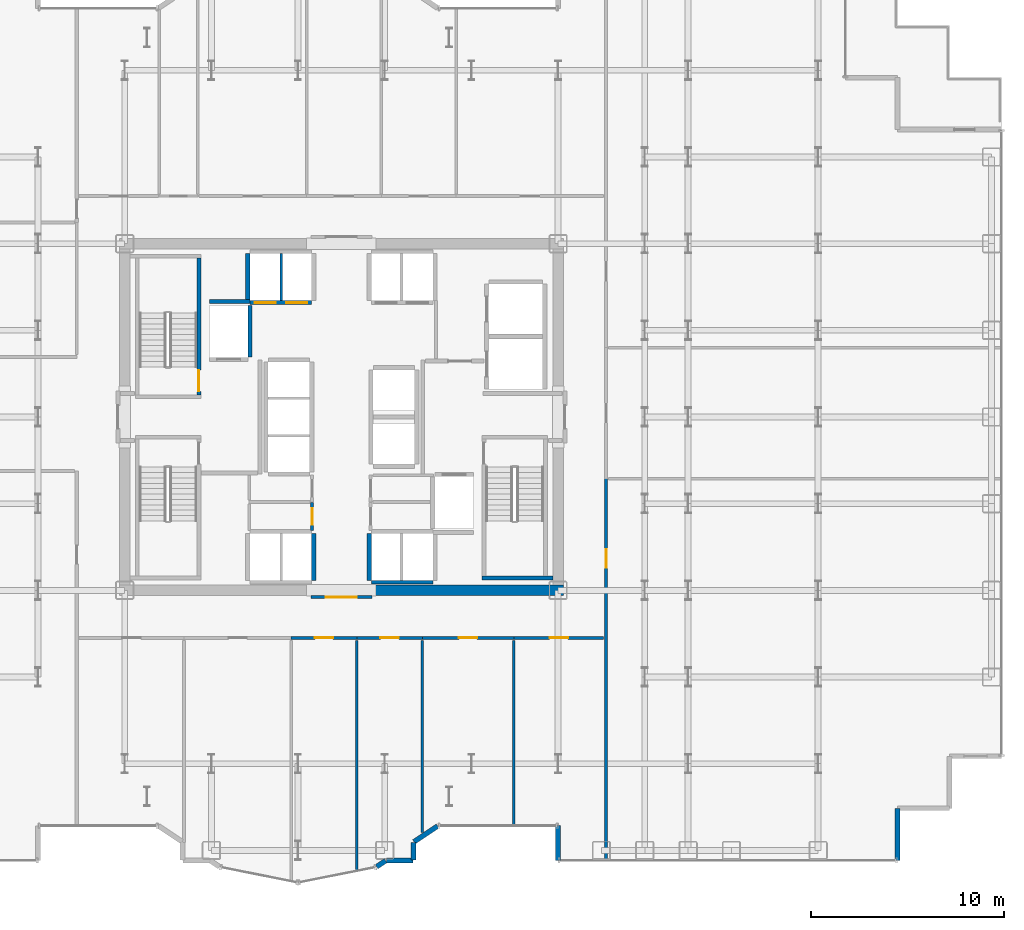
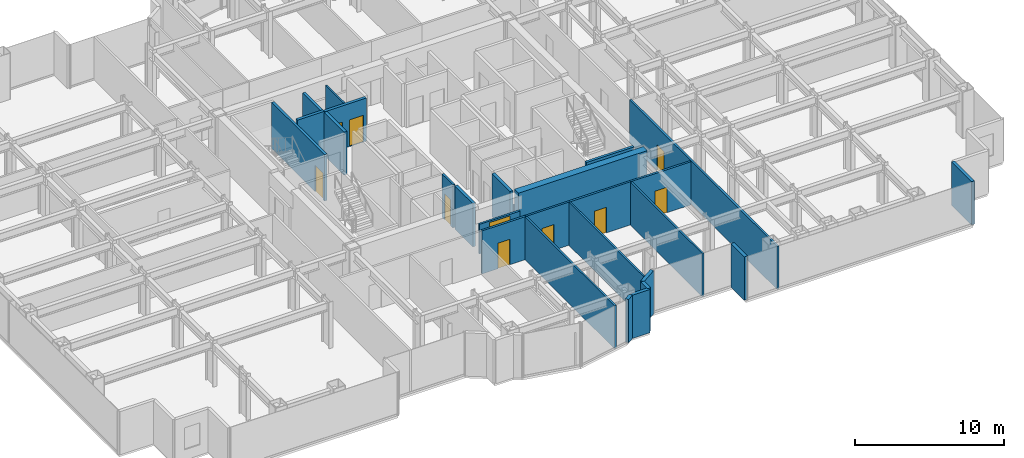
# One storey, part 21 of 26: 27 walls, 10 doors, 10 openings.
"""IFC4 building model written with IfcOpenShell, lengths in metres."""

from ifc_helpers import new_model, si_unit, direction, frame, frame_2d, origin, place, context, subcontext, project, spatial, rectangle, extrude, source, transform, mapped, material, layer, layer_set, type_object, element, fill, save


model = new_model("IFC4")

# Units and contexts
model_context = context("Model", 3, precision=1e-05, world=origin(), true_north=direction((0.0, 1.0)))
body_context = subcontext(model_context, "Body", "Model", "MODEL_VIEW")
ifc_project = project(units=[si_unit("LENGTHUNIT", "METRE"), si_unit("AREAUNIT", "SQUARE_METRE"), si_unit("VOLUMEUNIT", "CUBIC_METRE"), si_unit("PLANEANGLEUNIT", "RADIAN"), si_unit("MASSUNIT", "GRAM", prefix="KILO")], contexts=[model_context])

# Site, building, storey
site_placement = place(None, origin())
site = spatial("IfcSite", under=ifc_project, at=site_placement, CompositionType="ELEMENT")
building_placement = place(site_placement, origin())
building = spatial("IfcBuilding", under=site, at=building_placement, Name="Nefas-Gora Pilgrimage Tower", CompositionType="ELEMENT")
storey_placement = place(building_placement, frame((0.0, 0.0, 106.0)))
storey = spatial("IfcBuildingStorey", under=building, at=storey_placement, Name="L25", CompositionType="ELEMENT", Elevation=106.0)

# Walls
ifc_material_1 = material(Name="Concrete C60/75", Category="concrete")
ifc_layer_1 = layer(ifc_material_1, 0.550048828125)
ifc_layer_set_1 = layer_set([ifc_layer_1], Name="Concrete C60/75")
wall_type_1 = type_object("IfcWallType", Name="SW-CORE-550", PredefinedType="SHEAR", material=ifc_layer_set_1)
shared_shape_1 = source(origin(), body_context, "Body", "SweptSolid", [
    extrude(rectangle(XDim=9.974853515625, YDim=0.550048828125, at=frame_2d((4.9873046875, 0.0))), origin(), (0.0, 0.0, 1.0), 3.800048828125),
])
wall_1_placement = place(storey_placement, frame((1.550048828125, -9.0, 0.0), z_axis=(0.0, 0.0, 1.0), x_axis=(1.0, 0.0, 0.0)))
element("IfcWall", 1, at=wall_1_placement, inside=storey, type_object=wall_type_1, Name="L25 Core Shear Wall S-East", PredefinedType="SHEAR", context=body_context, shape_type="MappedRepresentation", body=[
    mapped(shared_shape_1, transform((0.0, 0.0, 0.0), x_axis=(1.0, 0.0, 0.0), y_axis=(0.0, 1.0, 0.0), z_axis=(0.0, 0.0, 1.0), scale=1.0)),
])
ifc_material_2 = material(Name="Precast concrete C40/50", Category="concrete")
ifc_layer_2 = layer(ifc_material_2, 0.260009765625)
ifc_layer_set_2 = layer_set([ifc_layer_2], Name="Precast concrete C40/50")
wall_type_2 = type_object("IfcWallType", Name="EW-PORTAL-260", PredefinedType="SOLIDWALL", material=ifc_layer_set_2)
shared_shape_2 = source(origin(), body_context, "Body", "SweptSolid", [
    extrude(rectangle(XDim=1.800048828125, YDim=0.260009765625, at=frame_2d((0.89990234375, 0.0))), origin(), (0.0, 0.0, 1.0), 3.550048828125),
])
wall_2_placement = place(storey_placement, frame((11.25, -21.219970703125, 0.0), z_axis=(0.0, 0.0, 1.0), x_axis=(0.0, -1.0, 0.0)))
element("IfcWall", 2, at=wall_2_placement, inside=storey, type_object=wall_type_2, Name="L25 Lobe Shoulder Precast Spandrel Pier 1", PredefinedType="SOLIDWALL", context=body_context, shape_type="MappedRepresentation", body=[
    mapped(shared_shape_2, transform((0.0, 0.0, 0.0), x_axis=(1.0, 0.0, 0.0), y_axis=(0.0, 1.0, 0.0), z_axis=(0.0, 0.0, 1.0), scale=1.0)),
])
ifc_material_3 = material(Name="Precast concrete C45/55", Category="concrete")
ifc_layer_3 = layer(ifc_material_3, 0.239990234375)
ifc_layer_set_3 = layer_set([ifc_layer_3], Name="Precast concrete C45/55")
wall_type_3 = type_object("IfcWallType", Name="EW-SERR-240", PredefinedType="SHEAR", material=ifc_layer_set_3)
shared_shape_3 = source(origin(), body_context, "Body", "SweptSolid", [
    extrude(rectangle(XDim=2.699951171875, YDim=0.239990234375, at=frame_2d((1.35009765625, 0.0))), origin(), (0.0, 0.0, 1.0), 3.550048828125),
])
wall_3_placement = place(storey_placement, frame((28.8701171875, -23.02001953125, 0.0), z_axis=(0.0, 0.0, 1.0), x_axis=(0.0, 1.0, 0.0)))
element("IfcWall", 3, at=wall_3_placement, inside=storey, type_object=wall_type_3, Name="L25 Serrated Corner Shear Pier Wall 2", PredefinedType="SHEAR", context=body_context, shape_type="MappedRepresentation", body=[
    mapped(shared_shape_3, transform((0.0, 0.0, 0.0), x_axis=(1.0, 0.0, 0.0), y_axis=(0.0, 1.0, 0.0), z_axis=(0.0, 0.0, 1.0), scale=1.0)),
])
shared_shape_4 = source(origin(), body_context, "Body", "SweptSolid", [
    extrude(rectangle(XDim=1.468994140625, YDim=0.260009765625, at=frame_2d((0.734375, 0.0))), origin(), (0.0, 0.0, 1.0), 3.550048828125),
])
wall_4_placement = place(storey_placement, frame((3.773193359375, -22.0517578125, 0.0), z_axis=(0.0, 0.0, 1.0), x_axis=(0.831461760506, 0.555581983884, 0.0)))
element("IfcWall", 4, at=wall_4_placement, inside=storey, type_object=wall_type_2, Name="L25 Lobe Shoulder Precast Spandrel Pier 35", PredefinedType="SOLIDWALL", context=body_context, shape_type="MappedRepresentation", body=[
    mapped(shared_shape_4, transform((0.0, 0.0, 0.0), x_axis=(1.0, 0.0, 0.0), y_axis=(0.0, 1.0, 0.0), z_axis=(0.0, 0.0, 1.0), scale=1.0)),
])
shared_shape_5 = source(origin(), body_context, "Body", "SweptSolid", [
    extrude(rectangle(XDim=0.896728515625, YDim=0.260009765625, at=frame_2d((0.4482421875, 0.0))), origin(), (0.0, 0.0, 1.0), 3.550048828125),
])
wall_5_placement = place(storey_placement, frame((3.75, -22.991943359375, 0.0), z_axis=(0.0, 0.0, 1.0), x_axis=(0.0, 1.0, 0.0)))
element("IfcWall", 5, at=wall_5_placement, inside=storey, type_object=wall_type_2, Name="L25 Lobe Shoulder Precast Spandrel Pier 34", PredefinedType="SOLIDWALL", context=body_context, shape_type="MappedRepresentation", body=[
    mapped(shared_shape_5, transform((0.0, 0.0, 0.0), x_axis=(1.0, 0.0, 0.0), y_axis=(0.0, 1.0, 0.0), z_axis=(0.0, 0.0, 1.0), scale=1.0)),
])
shared_shape_6 = source(origin(), body_context, "Body", "SweptSolid", [
    extrude(rectangle(XDim=1.369873046875, YDim=0.260009765625, at=frame_2d((0.68505859375, 0.0))), origin(), (0.0, 0.0, 1.0), 3.550048828125),
])
wall_6_placement = place(storey_placement, frame((2.35205078125, -23.02001953125, 0.0), z_axis=(0.0, 0.0, 1.0), x_axis=(1.0, 0.0, 0.0)))
element("IfcWall", 6, at=wall_6_placement, inside=storey, type_object=wall_type_2, Name="L25 Lobe Shoulder Precast Spandrel Pier 33", PredefinedType="SOLIDWALL", context=body_context, shape_type="MappedRepresentation", body=[
    mapped(shared_shape_6, transform((0.0, 0.0, 0.0), x_axis=(1.0, 0.0, 0.0), y_axis=(0.0, 1.0, 0.0), z_axis=(0.0, 0.0, 1.0), scale=1.0)),
])
shared_shape_7 = source(origin(), body_context, "Body", "SweptSolid", [
    extrude(rectangle(XDim=0.5654296875, YDim=0.260009765625, at=frame_2d((0.28271484375, 0.0))), origin(), (0.0, 0.0, 1.0), 3.550048828125),
])
wall_7_placement = place(storey_placement, frame((1.83056640625, -23.349609375, 0.0), z_axis=(0.0, 0.0, 1.0), x_axis=(0.831651492666, 0.555297933317, 0.0)))
element("IfcWall", 7, at=wall_7_placement, inside=storey, type_object=wall_type_2, Name="L25 Lobe Shoulder Precast Spandrel Pier 32", PredefinedType="SOLIDWALL", context=body_context, shape_type="MappedRepresentation", body=[
    mapped(shared_shape_7, transform((0.0, 0.0, 0.0), x_axis=(1.0, 0.0, 0.0), y_axis=(0.0, 1.0, 0.0), z_axis=(0.0, 0.0, 1.0), scale=1.0)),
])

# Wall, opening, door
ifc_material_4 = material(Name="Concrete C45/55", Category="concrete")
ifc_layer_4 = layer(ifc_material_4, 0.199951171875)
ifc_layer_set_4 = layer_set([ifc_layer_4], Name="Concrete C45/55")
wall_type_4 = type_object("IfcWallType", Name="IW-STAIR-200", PredefinedType="SOLIDWALL", material=ifc_layer_set_4)
shared_shape_8 = source(origin(), body_context, "Body", "SweptSolid", [
    extrude(rectangle(XDim=7.10009765625, YDim=0.199951171875, at=frame_2d((3.550048828125, 0.0))), origin(), (0.0, 0.0, 1.0), 3.800048828125),
])
wall_8_placement = place(storey_placement, frame((-7.39990234375, 1.14990234375, 0.0), z_axis=(0.0, 0.0, 1.0), x_axis=(0.0, 1.0, 0.0)))
wall_8 = element("IfcWall", 8, at=wall_8_placement, inside=storey, type_object=wall_type_4, Name="L25 Stairwell Shear Wall ST-01-left", PredefinedType="SOLIDWALL", context=body_context, shape_type="MappedRepresentation", body=[
    mapped(shared_shape_8, transform((0.0, 0.0, 0.0), x_axis=(1.0, 0.0, 0.0), y_axis=(0.0, 1.0, 0.0), z_axis=(0.0, 0.0, 1.0), scale=1.0)),
])
opening_1_placement = place(wall_8_placement, frame((0.179931640625, 0.0, 0.0)))
opening_1 = element("IfcOpeningElement", 9, at=opening_1_placement, cuts=wall_8, Name="Opening ID-ST1", PredefinedType="OPENING", context=body_context, shape_type="SweptSolid", body=[
    extrude(rectangle(XDim=1.10009765625, YDim=2.14990234375, at=frame_2d((0.550048828125, 1.074951171875))), frame((0.0, 0.10986328125, 0.0), z_axis=(0.0, -1.0, 0.0), x_axis=(1.0, 0.0, 0.0)), (0.0, 0.0, 1.0), 0.219970703125),
])
ifc_material_5 = material(Name="Painted galvanised steel fire stair door", Category="steel")
door_type_1 = type_object("IfcDoorType", Name="DR-INT-STAIR-1100", OperationType="NOTDEFINED", PredefinedType="DOOR", material=ifc_material_5)
shared_shape_9 = source(origin(), body_context, "Body", "SweptSolid", [
    extrude(rectangle(XDim=1.10009765625, YDim=2.14990234375, at=frame_2d((0.550048828125, 1.074951171875))), frame((0.0, 0.02490234375, 0.0), z_axis=(0.0, -1.0, 0.0), x_axis=(1.0, 0.0, 0.0)), (0.0, 0.0, 1.0), 0.050048828125),
])
door_1_placement = place(opening_1_placement, origin())
door_1 = element("IfcDoor", 10, at=door_1_placement, inside=storey, type_object=door_type_1, Name="L25 Protected Exit Stair Door ST-01", OperationType="SINGLE_SWING_LEFT", OverallHeight=2.14990234375, OverallWidth=1.10009765625, PredefinedType="DOOR", context=body_context, shape_type="MappedRepresentation", body=[
    mapped(shared_shape_9, transform((0.0, 0.0, 0.0), x_axis=(1.0, 0.0, 0.0), y_axis=(0.0, 1.0, 0.0), z_axis=(0.0, 0.0, 1.0), scale=1.0)),
])
fill(opening_1, door_1)

# Walls
shared_shape_10 = source(origin(), body_context, "Body", "SweptSolid", [
    extrude(rectangle(XDim=3.679931640625, YDim=0.199951171875, at=frame_2d((1.83984375, 0.0))), origin(), (0.0, 0.0, 1.0), 3.800048828125),
])
wall_9_placement = place(storey_placement, frame((7.300048828125, -8.35009765625, 0.0), z_axis=(0.0, 0.0, 1.0), x_axis=(1.0, 0.0, 0.0)))
element("IfcWall", 11, at=wall_9_placement, inside=storey, type_object=wall_type_4, Name="L25 Stairwell Shear Wall ST-02-far", PredefinedType="SOLIDWALL", context=body_context, shape_type="MappedRepresentation", body=[
    mapped(shared_shape_10, transform((0.0, 0.0, 0.0), x_axis=(1.0, 0.0, 0.0), y_axis=(0.0, 1.0, 0.0), z_axis=(0.0, 0.0, 1.0), scale=1.0)),
])
ifc_material_6 = material(Name="Concrete C40/50", Category="concrete")
ifc_layer_5 = layer(ifc_material_6, 0.219970703125)
ifc_layer_set_5 = layer_set([ifc_layer_5], Name="Concrete C40/50")
wall_type_5 = type_object("IfcWallType", Name="IW-SHAFT-220", PredefinedType="SOLIDWALL", material=ifc_layer_set_5)
shared_shape_11 = source(origin(), body_context, "Body", "SweptSolid", [
    extrude(rectangle(XDim=2.679931640625, YDim=0.219970703125, at=frame_2d((1.33984375, 0.0))), origin(), (0.0, 0.0, 1.0), 3.534912109375),
])
wall_10_placement = place(storey_placement, frame((-4.739990234375, 3.110107421875, 0.0), z_axis=(0.0, 0.0, 1.0), x_axis=(0.0, 1.0, 0.0)))
element("IfcWall", 12, at=wall_10_placement, inside=storey, type_object=wall_type_5, Name="L25 Hoistway Wall FFL-01-E", PredefinedType="SOLIDWALL", context=body_context, shape_type="MappedRepresentation", body=[
    mapped(shared_shape_11, transform((0.0, 0.0, 0.0), x_axis=(1.0, 0.0, 0.0), y_axis=(0.0, 1.0, 0.0), z_axis=(0.0, 0.0, 1.0), scale=1.0)),
])

# Wall, openings, doors
shared_shape_12 = source(origin(), body_context, "Body", "SweptSolid", [
    extrude(rectangle(XDim=3.199951171875, YDim=0.219970703125, at=frame_2d((1.60009765625, 0.0))), origin(), (0.0, 0.0, 1.0), 3.534912109375),
])
wall_11_placement = place(storey_placement, frame((-4.75, 5.93994140625, 0.0), z_axis=(0.0, 0.0, 1.0), x_axis=(1.0, 0.0, 0.0)))
wall_11 = element("IfcWall", 13, at=wall_11_placement, inside=storey, type_object=wall_type_5, Name="L25 Hoistway Wall PL1-W-S", PredefinedType="SOLIDWALL", context=body_context, shape_type="MappedRepresentation", body=[
    mapped(shared_shape_12, transform((0.0, 0.0, 0.0), x_axis=(1.0, 0.0, 0.0), y_axis=(0.0, 1.0, 0.0), z_axis=(0.0, 0.0, 1.0), scale=1.0)),
])
opening_2_placement = place(wall_11_placement, frame((0.25, 0.0, 0.0)))
opening_2 = element("IfcOpeningElement", 14, at=opening_2_placement, cuts=wall_11, Name="Opening LD-01", PredefinedType="OPENING", context=body_context, shape_type="SweptSolid", body=[
    extrude(rectangle(XDim=1.10009765625, YDim=2.199951171875, at=frame_2d((0.550048828125, 1.10009765625))), frame((0.0, 0.119873046875, 0.0), z_axis=(0.0, -1.0, 0.0), x_axis=(1.0, 0.0, 0.0)), (0.0, 0.0, 1.0), 0.239990234375),
])
opening_3_placement = place(wall_11_placement, frame((1.875, 0.0, 0.0)))
opening_3 = element("IfcOpeningElement", 15, at=opening_3_placement, cuts=wall_11, Name="Opening LD-01", PredefinedType="OPENING", context=body_context, shape_type="SweptSolid", body=[
    extrude(rectangle(XDim=1.10009765625, YDim=2.199951171875, at=frame_2d((0.550048828125, 1.10009765625))), frame((0.0, 0.119873046875, 0.0), z_axis=(0.0, -1.0, 0.0), x_axis=(1.0, 0.0, 0.0)), (0.0, 0.0, 1.0), 0.239990234375),
])
ifc_material_7 = material(Name="Brushed stainless sliding lift landing door")
door_type_2 = type_object("IfcDoorType", Name="DR-LIFT-PASS-1100", OperationType="DOUBLE_DOOR_SLIDING", PredefinedType="DOOR", material=ifc_material_7)
shared_shape_13 = source(origin(), body_context, "Body", "SweptSolid", [
    extrude(rectangle(XDim=1.10009765625, YDim=2.199951171875, at=frame_2d((0.550048828125, 1.10009765625))), frame((0.0, 0.02490234375, 0.0), z_axis=(0.0, -1.0, 0.0), x_axis=(1.0, 0.0, 0.0)), (0.0, 0.0, 1.0), 0.050048828125),
])
door_2_placement = place(opening_2_placement, origin())
door_2 = element("IfcDoor", 16, at=door_2_placement, inside=storey, type_object=door_type_2, Name="L25 Sliding Lift Landing Door PL1-01", OperationType="DOUBLE_DOOR_SLIDING", OverallHeight=2.199951171875, OverallWidth=1.10009765625, PredefinedType="DOOR", context=body_context, shape_type="MappedRepresentation", body=[
    mapped(shared_shape_13, transform((0.0, 0.0, 0.0), x_axis=(1.0, 0.0, 0.0), y_axis=(0.0, 1.0, 0.0), z_axis=(0.0, 0.0, 1.0), scale=1.0)),
])
fill(opening_2, door_2)
door_3_placement = place(opening_3_placement, origin())
door_3 = element("IfcDoor", 17, at=door_3_placement, inside=storey, type_object=door_type_2, Name="L25 Sliding Lift Landing Door PL1-02", OperationType="DOUBLE_DOOR_SLIDING", OverallHeight=2.199951171875, OverallWidth=1.10009765625, PredefinedType="DOOR", context=body_context, shape_type="MappedRepresentation", body=[
    mapped(shared_shape_13, transform((0.0, 0.0, 0.0), x_axis=(1.0, 0.0, 0.0), y_axis=(0.0, 1.0, 0.0), z_axis=(0.0, 0.0, 1.0), scale=1.0)),
])
fill(opening_3, door_3)

# Walls
ifc_material_8 = material(Name="Gypsum acoustic stud partition")
ifc_layer_6 = layer(ifc_material_8, 0.159912109375)
ifc_layer_set_6 = layer_set([ifc_layer_6], Name="Gypsum acoustic stud partition")
wall_type_6 = type_object("IfcWallType", Name="IW-CORR-160", PredefinedType="PARTITIONING", material=ifc_layer_set_6)
shared_shape_14 = source(origin(), body_context, "Body", "SweptSolid", [
    extrude(rectangle(XDim=3.199951171875, YDim=0.159912109375, at=frame_2d((1.60009765625, 0.0))), origin(), (0.0, 0.0, 1.0), 2.425048828125),
])
wall_12_placement = place(storey_placement, frame((1.550048828125, -8.580078125, 0.0), z_axis=(0.0, 0.0, 1.0), x_axis=(1.0, 0.0, 0.0)))
element("IfcWall", 18, at=wall_12_placement, inside=storey, type_object=wall_type_6, Name="L25 Hoistway Wall PL2-E-S", PredefinedType="PARTITIONING", context=body_context, shape_type="MappedRepresentation", body=[
    mapped(shared_shape_14, transform((0.0, 0.0, 0.0), x_axis=(1.0, 0.0, 0.0), y_axis=(0.0, 1.0, 0.0), z_axis=(0.0, 0.0, 1.0), scale=1.0)),
])
shared_shape_15 = source(origin(), body_context, "Body", "SweptSolid", [
    extrude(rectangle(XDim=2.429931640625, YDim=0.219970703125, at=frame_2d((1.21484375, 0.0))), origin(), (0.0, 0.0, 1.0), 3.534912109375),
])
for number, where, z_axis, x_axis, name in (
    (19, (-4.860107421875, 8.489990234375, 0.0), (0.0, 0.0, 1.0), (0.0, -1.0, 0.0), "L25 Hoistway Wall PL1-W-W"),
    (20, (-1.43994140625, -8.489990234375, 0.0), (0.0, 0.0, 1.0), (0.0, 1.0, 0.0), "L25 Hoistway Wall PL2-W-E"),
    (21, (1.43994140625, -6.06005859375, 0.0), (0.0, 0.0, 1.0), (0.0, -1.0, 0.0), "L25 Hoistway Wall PL2-E-W"),
):
    element("IfcWall", number, at=place(storey_placement, frame(where, z_axis=z_axis, x_axis=x_axis)), inside=storey, type_object=wall_type_5, Name=name, PredefinedType="SOLIDWALL", context=body_context, shape_type="MappedRepresentation", body=[
        mapped(shared_shape_15, transform((0.0, 0.0, 0.0), x_axis=(1.0, 0.0, 0.0), y_axis=(0.0, 1.0, 0.0), z_axis=(0.0, 0.0, 1.0), scale=1.0)),
    ])
ifc_material_9 = material(Name="Gypsum twin-stud partition")
ifc_layer_7 = layer(ifc_material_9, 0.139892578125)
ifc_layer_set_7 = layer_set([ifc_layer_7], Name="Gypsum twin-stud partition")
wall_type_7 = type_object("IfcWallType", Name="IW-UNIT-140", PredefinedType="PARTITIONING", material=ifc_layer_set_7)
shared_shape_16 = source(origin(), body_context, "Body", "SweptSolid", [
    extrude(rectangle(XDim=2.429931640625, YDim=0.139892578125, at=frame_2d((1.21484375, 0.0))), origin(), (0.0, 0.0, 1.0), 3.534912109375),
])
wall_13_placement = place(storey_placement, frame((-3.125, 6.06005859375, 0.0), z_axis=(0.0, 0.0, 1.0), x_axis=(0.0, 1.0, 0.0)))
element("IfcWall", 22, at=wall_13_placement, inside=storey, type_object=wall_type_7, Name="L25 Hoistway Wall PL1-W-DIV", PredefinedType="PARTITIONING", context=body_context, shape_type="MappedRepresentation", body=[
    mapped(shared_shape_16, transform((0.0, 0.0, 0.0), x_axis=(1.0, 0.0, 0.0), y_axis=(0.0, 1.0, 0.0), z_axis=(0.0, 0.0, 1.0), scale=1.0)),
])
shared_shape_17 = source(origin(), body_context, "Body", "SweptSolid", [
    extrude(rectangle(XDim=2.09521484375, YDim=0.219970703125, at=frame_2d((1.047607421875, 0.0))), origin(), (0.0, 0.0, 1.0), 3.534912109375),
])
wall_14_placement = place(storey_placement, frame((-6.85009765625, 6.0, 0.0), z_axis=(0.0, 0.0, 1.0), x_axis=(1.0, 0.0, 0.0)))
element("IfcWall", 23, at=wall_14_placement, inside=storey, type_object=wall_type_5, Name="L25 Riser Shaft Wall 1", PredefinedType="SOLIDWALL", context=body_context, shape_type="MappedRepresentation", body=[
    mapped(shared_shape_17, transform((0.0, 0.0, 0.0), x_axis=(1.0, 0.0, 0.0), y_axis=(0.0, 1.0, 0.0), z_axis=(0.0, 0.0, 1.0), scale=1.0)),
])
shared_shape_18 = source(origin(), body_context, "Body", "SweptSolid", [
    extrude(rectangle(XDim=9.64990234375, YDim=0.139892578125, at=frame_2d((4.824951171875, 0.0))), origin(), (0.0, 0.0, 1.0), 3.534912109375),
])
wall_15_placement = place(storey_placement, frame((8.949951171875, -21.239990234375, 0.0), z_axis=(0.0, 0.0, 1.0), x_axis=(0.0, 1.0, 0.0)))
element("IfcWall", 24, at=wall_15_placement, inside=storey, type_object=wall_type_7, Name="L25 Pilgrim Contemplative Lounge Partition Wall 57", PredefinedType="PARTITIONING", context=body_context, shape_type="MappedRepresentation", body=[
    mapped(shared_shape_18, transform((0.0, 0.0, 0.0), x_axis=(1.0, 0.0, 0.0), y_axis=(0.0, 1.0, 0.0), z_axis=(0.0, 0.0, 1.0), scale=1.0)),
])

# Wall, opening, door
shared_shape_19 = source(origin(), body_context, "Body", "SweptSolid", [
    extrude(rectangle(XDim=1.449951171875, YDim=0.159912109375, at=frame_2d((0.72509765625, 0.0))), origin(), (0.0, 0.0, 1.0), 3.534912109375),
])
wall_16_placement = place(storey_placement, frame((-1.52001953125, -5.889892578125, 0.0), z_axis=(0.0, 0.0, 1.0), x_axis=(0.0, 1.0, 0.0)))
wall_16 = element("IfcWall", 25, at=wall_16_placement, inside=storey, type_object=wall_type_6, Name="L25 Guest Self-Service Laundry Room Wall 19", PredefinedType="PARTITIONING", context=body_context, shape_type="MappedRepresentation", body=[
    mapped(shared_shape_19, transform((0.0, 0.0, 0.0), x_axis=(1.0, 0.0, 0.0), y_axis=(0.0, 1.0, 0.0), z_axis=(0.0, 0.0, 1.0), scale=1.0)),
])
opening_4_placement = place(wall_16_placement, frame((0.300048828125, 0.0, 0.0)))
opening_4 = element("IfcOpeningElement", 26, at=opening_4_placement, cuts=wall_16, Name="Opening ID-BT1", PredefinedType="OPENING", context=body_context, shape_type="SweptSolid", body=[
    extrude(rectangle(XDim=0.85009765625, YDim=2.10009765625, at=frame_2d((0.425048828125, 1.050048828125))), frame((0.0, 0.08984375, 0.0), z_axis=(0.0, -1.0, 0.0), x_axis=(1.0, 0.0, 0.0)), (0.0, 0.0, 1.0), 0.179931640625),
])
ifc_material_10 = material(Name="Moisture-resistant fire-rated timber door", Category="wood")
door_type_3 = type_object("IfcDoorType", Name="DR-INT-BATH-850", OperationType="NOTDEFINED", PredefinedType="DOOR", material=ifc_material_10)
shared_shape_20 = source(origin(), body_context, "Body", "SweptSolid", [
    extrude(rectangle(XDim=0.85009765625, YDim=2.10009765625, at=frame_2d((0.425048828125, 1.050048828125))), frame((0.0, 0.02490234375, 0.0), z_axis=(0.0, -1.0, 0.0), x_axis=(1.0, 0.0, 0.0)), (0.0, 0.0, 1.0), 0.050048828125),
])
door_4_placement = place(opening_4_placement, origin())
door_4 = element("IfcDoor", 27, at=door_4_placement, inside=storey, type_object=door_type_3, Name="L25 Guest Self-Service Laundry Room Door 7", OperationType="SINGLE_SWING_LEFT", OverallHeight=2.10009765625, OverallWidth=0.85009765625, PredefinedType="DOOR", context=body_context, shape_type="MappedRepresentation", body=[
    mapped(shared_shape_20, transform((0.0, 0.0, 0.0), x_axis=(1.0, 0.0, 0.0), y_axis=(0.0, 1.0, 0.0), z_axis=(0.0, 0.0, 1.0), scale=1.0)),
])
fill(opening_4, door_4)

shared_shape_21 = source(origin(), body_context, "Body", "SweptSolid", [
    extrude(rectangle(XDim=3.405029296875, YDim=0.159912109375, at=frame_2d((1.70263671875, 0.0))), origin(), (0.0, 0.0, 1.0), 3.534912109375),
])
wall_17_placement = place(storey_placement, frame((-2.60498046875, -11.469970703125, 0.0), z_axis=(0.0, 0.0, 1.0), x_axis=(1.0, 0.0, 0.0)))
wall_17 = element("IfcWall", 28, at=wall_17_placement, inside=storey, type_object=wall_type_6, Name="L25 Pilgrim Contemplative Lounge Partition Wall 52", PredefinedType="PARTITIONING", context=body_context, shape_type="MappedRepresentation", body=[
    mapped(shared_shape_21, transform((0.0, 0.0, 0.0), x_axis=(1.0, 0.0, 0.0), y_axis=(0.0, 1.0, 0.0), z_axis=(0.0, 0.0, 1.0), scale=1.0)),
])
opening_5_placement = place(wall_17_placement, frame((1.2275390625, 0.0, 0.0)))
opening_5 = element("IfcOpeningElement", 29, at=opening_5_placement, cuts=wall_17, Name="Opening ID-GR1", PredefinedType="OPENING", context=body_context, shape_type="SweptSolid", body=[
    extrude(rectangle(XDim=0.949951171875, YDim=2.10009765625, at=frame_2d((0.47509765625, 1.050048828125))), frame((0.0, 0.08984375, 0.0), z_axis=(0.0, -1.0, 0.0), x_axis=(1.0, 0.0, 0.0)), (0.0, 0.0, 1.0), 0.179931640625),
])
ifc_material_11 = material(Name="Solid core oak fire-rated guest entrance door")
door_type_4 = type_object("IfcDoorType", Name="DR-INT-GUEST-950", OperationType="NOTDEFINED", PredefinedType="DOOR", material=ifc_material_11)
shared_shape_22 = source(origin(), body_context, "Body", "SweptSolid", [
    extrude(rectangle(XDim=0.949951171875, YDim=2.10009765625, at=frame_2d((0.47509765625, 1.050048828125))), frame((0.0, 0.02490234375, 0.0), z_axis=(0.0, -1.0, 0.0), x_axis=(1.0, 0.0, 0.0)), (0.0, 0.0, 1.0), 0.050048828125),
])
door_5_placement = place(opening_5_placement, origin())
door_5 = element("IfcDoor", 30, at=door_5_placement, inside=storey, type_object=door_type_4, Name="L25 Pilgrim Contemplative Lounge Door 25", OperationType="SINGLE_SWING_LEFT", OverallHeight=2.10009765625, OverallWidth=0.949951171875, PredefinedType="DOOR", context=body_context, shape_type="MappedRepresentation", body=[
    mapped(shared_shape_22, transform((0.0, 0.0, 0.0), x_axis=(1.0, 0.0, 0.0), y_axis=(0.0, 1.0, 0.0), z_axis=(0.0, 0.0, 1.0), scale=1.0)),
])
fill(opening_5, door_5)

wall_18_placement = place(storey_placement, frame((0.800048828125, -11.469970703125, 0.0), z_axis=(0.0, 0.0, 1.0), x_axis=(1.0, 0.0, 0.0)))
wall_18 = element("IfcWall", 31, at=wall_18_placement, inside=storey, type_object=wall_type_6, Name="L25 Pilgrim Contemplative Lounge Partition Wall 54", PredefinedType="PARTITIONING", context=body_context, shape_type="MappedRepresentation", body=[
    mapped(shared_shape_21, transform((0.0, 0.0, 0.0), x_axis=(1.0, 0.0, 0.0), y_axis=(0.0, 1.0, 0.0), z_axis=(0.0, 0.0, 1.0), scale=1.0)),
])
opening_6_placement = place(wall_18_placement, frame((1.2275390625, 0.0, 0.0)))
opening_6 = element("IfcOpeningElement", 32, at=opening_6_placement, cuts=wall_18, Name="Opening ID-GR1", PredefinedType="OPENING", context=body_context, shape_type="SweptSolid", body=[
    extrude(rectangle(XDim=0.949951171875, YDim=2.10009765625, at=frame_2d((0.47509765625, 1.050048828125))), frame((0.0, 0.08984375, 0.0), z_axis=(0.0, -1.0, 0.0), x_axis=(1.0, 0.0, 0.0)), (0.0, 0.0, 1.0), 0.179931640625),
])
door_6_placement = place(opening_6_placement, origin())
door_6 = element("IfcDoor", 33, at=door_6_placement, inside=storey, type_object=door_type_4, Name="L25 Pilgrim Contemplative Lounge Door 26", OperationType="SINGLE_SWING_RIGHT", OverallHeight=2.10009765625, OverallWidth=0.949951171875, PredefinedType="DOOR", context=body_context, shape_type="MappedRepresentation", body=[
    mapped(shared_shape_22, transform((0.0, 0.0, 0.0), x_axis=(1.0, 0.0, 0.0), y_axis=(0.0, 1.0, 0.0), z_axis=(0.0, 0.0, 1.0), scale=1.0)),
])
fill(opening_6, door_6)

shared_shape_23 = source(origin(), body_context, "Body", "SweptSolid", [
    extrude(rectangle(XDim=3.16015625, YDim=0.159912109375, at=frame_2d((1.580078125, 0.0))), origin(), (0.0, 0.0, 1.0), 2.425048828125),
])
wall_19_placement = place(storey_placement, frame((-1.580078125, -9.35009765625, 0.0), z_axis=(0.0, 0.0, 1.0), x_axis=(1.0, 0.0, 0.0)))
wall_19 = element("IfcWall", 34, at=wall_19_placement, inside=storey, type_object=wall_type_6, Name="L25 Central Lift Lobby South Portal Wall 14", PredefinedType="PARTITIONING", context=body_context, shape_type="MappedRepresentation", body=[
    mapped(shared_shape_23, transform((0.0, 0.0, 0.0), x_axis=(1.0, 0.0, 0.0), y_axis=(0.0, 1.0, 0.0), z_axis=(0.0, 0.0, 1.0), scale=1.0)),
])
opening_7_placement = place(wall_19_placement, frame((0.780029296875, 0.0, 0.0)))
opening_7 = element("IfcOpeningElement", 35, at=opening_7_placement, cuts=wall_19, Name="Opening ID-HL1", PredefinedType="OPENING", context=body_context, shape_type="SweptSolid", body=[
    extrude(rectangle(XDim=1.60009765625, YDim=2.300048828125, at=frame_2d((0.800048828125, 1.14990234375))), frame((0.0, 0.08984375, 0.0), z_axis=(0.0, -1.0, 0.0), x_axis=(1.0, 0.0, 0.0)), (0.0, 0.0, 1.0), 0.179931640625),
])
ifc_material_12 = material(Name="Double acoustic timber assembly hall door", Category="wood")
door_type_5 = type_object("IfcDoorType", Name="DR-INT-HALL-1600", OperationType="DOUBLE_DOOR_SINGLE_SWING", PredefinedType="DOOR", material=ifc_material_12)
shared_shape_24 = source(origin(), body_context, "Body", "SweptSolid", [
    extrude(rectangle(XDim=1.60009765625, YDim=2.300048828125, at=frame_2d((0.800048828125, 1.14990234375))), frame((0.0, 0.02490234375, 0.0), z_axis=(0.0, -1.0, 0.0), x_axis=(1.0, 0.0, 0.0)), (0.0, 0.0, 1.0), 0.050048828125),
])
door_7_placement = place(opening_7_placement, origin())
door_7 = element("IfcDoor", 36, at=door_7_placement, inside=storey, type_object=door_type_5, Name="L25 Central Lift Lobby South Portal Door 5", OperationType="DOUBLE_DOOR_SINGLE_SWING", OverallHeight=2.300048828125, OverallWidth=1.60009765625, PredefinedType="DOOR", context=body_context, shape_type="MappedRepresentation", body=[
    mapped(shared_shape_24, transform((0.0, 0.0, 0.0), x_axis=(1.0, 0.0, 0.0), y_axis=(0.0, 1.0, 0.0), z_axis=(0.0, 0.0, 1.0), scale=1.0)),
])
fill(opening_7, door_7)

shared_shape_25 = source(origin(), body_context, "Body", "SweptSolid", [
    extrude(rectangle(XDim=19.844970703125, YDim=0.159912109375, at=frame_2d((9.92236328125, 0.0))), origin(), (0.0, 0.0, 1.0), 3.534912109375),
])
wall_20_placement = place(storey_placement, frame((13.739990234375, -23.0400390625, 0.0), z_axis=(0.0, 0.0, 1.0), x_axis=(0.0, 1.0, 0.0)))
wall_20 = element("IfcWall", 37, at=wall_20_placement, inside=storey, type_object=wall_type_6, Name="L25 Pilgrim Fellowship Seminar Room Partition Wall 35", PredefinedType="PARTITIONING", context=body_context, shape_type="MappedRepresentation", body=[
    mapped(shared_shape_25, transform((0.0, 0.0, 0.0), x_axis=(1.0, 0.0, 0.0), y_axis=(0.0, 1.0, 0.0), z_axis=(0.0, 0.0, 1.0), scale=1.0)),
])
opening_8_placement = place(wall_20_placement, frame((15.21240234375, 0.0, 0.0)))
opening_8 = element("IfcOpeningElement", 38, at=opening_8_placement, cuts=wall_20, Name="Opening ID-GR1", PredefinedType="OPENING", context=body_context, shape_type="SweptSolid", body=[
    extrude(rectangle(XDim=0.949951171875, YDim=2.10009765625, at=frame_2d((0.47509765625, 1.050048828125))), frame((0.0, 0.08984375, 0.0), z_axis=(0.0, -1.0, 0.0), x_axis=(1.0, 0.0, 0.0)), (0.0, 0.0, 1.0), 0.179931640625),
])
door_8_placement = place(opening_8_placement, origin())
door_8 = element("IfcDoor", 39, at=door_8_placement, inside=storey, type_object=door_type_4, Name="L25 Pilgrim Fellowship Seminar Room Door 15", OperationType="SINGLE_SWING_LEFT", OverallHeight=2.10009765625, OverallWidth=0.949951171875, PredefinedType="DOOR", context=body_context, shape_type="MappedRepresentation", body=[
    mapped(shared_shape_22, transform((0.0, 0.0, 0.0), x_axis=(1.0, 0.0, 0.0), y_axis=(0.0, 1.0, 0.0), z_axis=(0.0, 0.0, 1.0), scale=1.0)),
])
fill(opening_8, door_8)

# Walls
shared_shape_26 = source(origin(), body_context, "Body", "SweptSolid", [
    extrude(rectangle(XDim=11.998046875, YDim=0.139892578125, at=frame_2d((5.9990234375, 0.0))), origin(), (0.0, 0.0, 1.0), 3.534912109375),
])
wall_21_placement = place(storey_placement, frame((0.7900390625, -23.588134765625, 0.0), z_axis=(0.0, 0.0, 1.0), x_axis=(0.0, 1.0, 0.0)))
element("IfcWall", 40, at=wall_21_placement, inside=storey, type_object=wall_type_7, Name="L25 Pilgrim Contemplative Lounge Partition Wall 53", PredefinedType="PARTITIONING", context=body_context, shape_type="MappedRepresentation", body=[
    mapped(shared_shape_26, transform((0.0, 0.0, 0.0), x_axis=(1.0, 0.0, 0.0), y_axis=(0.0, 1.0, 0.0), z_axis=(0.0, 0.0, 1.0), scale=1.0)),
])
shared_shape_27 = source(origin(), body_context, "Body", "SweptSolid", [
    extrude(rectangle(XDim=9.977783203125, YDim=0.139892578125, at=frame_2d((4.98876953125, 0.0))), origin(), (0.0, 0.0, 1.0), 3.534912109375),
])
wall_22_placement = place(storey_placement, frame((4.195068359375, -21.56787109375, 0.0), z_axis=(0.0, 0.0, 1.0), x_axis=(0.0, 1.0, 0.0)))
element("IfcWall", 41, at=wall_22_placement, inside=storey, type_object=wall_type_7, Name="L25 Pilgrim Contemplative Lounge Partition Wall 55", PredefinedType="PARTITIONING", context=body_context, shape_type="MappedRepresentation", body=[
    mapped(shared_shape_27, transform((0.0, 0.0, 0.0), x_axis=(1.0, 0.0, 0.0), y_axis=(0.0, 1.0, 0.0), z_axis=(0.0, 0.0, 1.0), scale=1.0)),
])

# Wall, opening, door
shared_shape_28 = source(origin(), body_context, "Body", "SweptSolid", [
    extrude(rectangle(XDim=4.764892578125, YDim=0.159912109375, at=frame_2d((2.38232421875, 0.0))), origin(), (0.0, 0.0, 1.0), 3.534912109375),
])
wall_23_placement = place(storey_placement, frame((4.195068359375, -11.469970703125, 0.0), z_axis=(0.0, 0.0, 1.0), x_axis=(1.0, 0.0, 0.0)))
wall_23 = element("IfcWall", 42, at=wall_23_placement, inside=storey, type_object=wall_type_6, Name="L25 Pilgrim Contemplative Lounge Partition Wall 56", PredefinedType="PARTITIONING", context=body_context, shape_type="MappedRepresentation", body=[
    mapped(shared_shape_28, transform((0.0, 0.0, 0.0), x_axis=(1.0, 0.0, 0.0), y_axis=(0.0, 1.0, 0.0), z_axis=(0.0, 0.0, 1.0), scale=1.0)),
])
opening_9_placement = place(wall_23_placement, frame((1.907470703125, 0.0, 0.0)))
opening_9 = element("IfcOpeningElement", 43, at=opening_9_placement, cuts=wall_23, Name="Opening ID-GR1", PredefinedType="OPENING", context=body_context, shape_type="SweptSolid", body=[
    extrude(rectangle(XDim=0.949951171875, YDim=2.10009765625, at=frame_2d((0.47509765625, 1.050048828125))), frame((0.0, 0.08984375, 0.0), z_axis=(0.0, -1.0, 0.0), x_axis=(1.0, 0.0, 0.0)), (0.0, 0.0, 1.0), 0.179931640625),
])
door_9_placement = place(opening_9_placement, origin())
door_9 = element("IfcDoor", 44, at=door_9_placement, inside=storey, type_object=door_type_4, Name="L25 Pilgrim Contemplative Lounge Door 27", OperationType="SINGLE_SWING_LEFT", OverallHeight=2.10009765625, OverallWidth=0.949951171875, PredefinedType="DOOR", context=body_context, shape_type="MappedRepresentation", body=[
    mapped(shared_shape_22, transform((0.0, 0.0, 0.0), x_axis=(1.0, 0.0, 0.0), y_axis=(0.0, 1.0, 0.0), z_axis=(0.0, 0.0, 1.0), scale=1.0)),
])
fill(opening_9, door_9)

shared_shape_29 = source(origin(), body_context, "Body", "SweptSolid", [
    extrude(rectangle(XDim=4.66015625, YDim=0.159912109375, at=frame_2d((2.330078125, 0.0))), origin(), (0.0, 0.0, 1.0), 3.534912109375),
])
wall_24_placement = place(storey_placement, frame((8.9599609375, -11.469970703125, 0.0), z_axis=(0.0, 0.0, 1.0), x_axis=(1.0, 0.0, 0.0)))
wall_24 = element("IfcWall", 45, at=wall_24_placement, inside=storey, type_object=wall_type_6, Name="L25 Pilgrim Contemplative Lounge Partition Wall 58", PredefinedType="PARTITIONING", context=body_context, shape_type="MappedRepresentation", body=[
    mapped(shared_shape_29, transform((0.0, 0.0, 0.0), x_axis=(1.0, 0.0, 0.0), y_axis=(0.0, 1.0, 0.0), z_axis=(0.0, 0.0, 1.0), scale=1.0)),
])
opening_10_placement = place(wall_24_placement, frame((1.85498046875, 0.0, 0.0)))
opening_10 = element("IfcOpeningElement", 46, at=opening_10_placement, cuts=wall_24, Name="Opening ID-GR1", PredefinedType="OPENING", context=body_context, shape_type="SweptSolid", body=[
    extrude(rectangle(XDim=0.949951171875, YDim=2.10009765625, at=frame_2d((0.47509765625, 1.050048828125))), frame((0.0, 0.08984375, 0.0), z_axis=(0.0, -1.0, 0.0), x_axis=(1.0, 0.0, 0.0)), (0.0, 0.0, 1.0), 0.179931640625),
])
door_10_placement = place(opening_10_placement, origin())
door_10 = element("IfcDoor", 47, at=door_10_placement, inside=storey, type_object=door_type_4, Name="L25 Pilgrim Contemplative Lounge Door 28", OperationType="SINGLE_SWING_RIGHT", OverallHeight=2.10009765625, OverallWidth=0.949951171875, PredefinedType="DOOR", context=body_context, shape_type="MappedRepresentation", body=[
    mapped(shared_shape_22, transform((0.0, 0.0, 0.0), x_axis=(1.0, 0.0, 0.0), y_axis=(0.0, 1.0, 0.0), z_axis=(0.0, 0.0, 1.0), scale=1.0)),
])
fill(opening_10, door_10)

save(model, "model.ifc")
